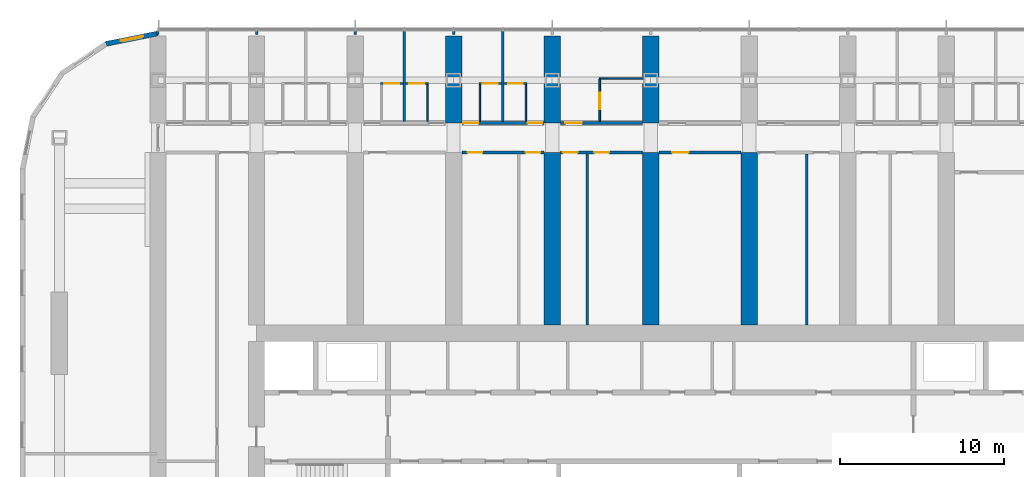
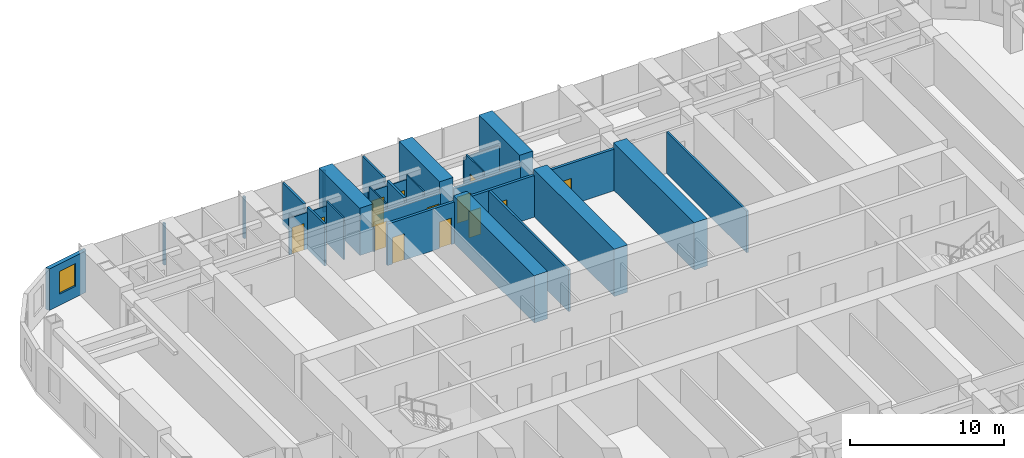
# One storey, part 16 of 24: 29 walls, 13 doors, 1 window, 14 openings.
"""IFC4 building model written with IfcOpenShell, lengths in metres."""

from ifc_helpers import new_model, si_unit, direction, frame, frame_2d, origin, place, context, subcontext, project, spatial, polyline, rectangle, outline, extrude, material, layer, layer_set, type_object, element, fill, save


model = new_model("IFC4")

# Units and contexts
model_context = context("Model", 3, precision=1e-05, world=origin(), true_north=direction((0.0, 1.0)))
body_context = subcontext(model_context, "Body", "Model", "MODEL_VIEW")
ifc_project = project(units=[si_unit("LENGTHUNIT", "METRE"), si_unit("AREAUNIT", "SQUARE_METRE"), si_unit("VOLUMEUNIT", "CUBIC_METRE"), si_unit("PLANEANGLEUNIT", "RADIAN"), si_unit("MASSUNIT", "GRAM", prefix="KILO")], contexts=[model_context])

# Site, building, storey
site_placement = place(None, origin())
site = spatial("IfcSite", under=ifc_project, at=site_placement, CompositionType="ELEMENT")
building_placement = place(site_placement, origin())
building = spatial("IfcBuilding", under=site, at=building_placement, Name="Orbita Commons", CompositionType="ELEMENT")
storey_placement = place(building_placement, frame((0.0, 0.0, 35.199951171875)))
storey = spatial("IfcBuildingStorey", under=building, at=storey_placement, Name="L08", CompositionType="ELEMENT", Elevation=35.199951171875)

# Wall, openings, doors
ifc_material_1 = material(Name="Concrete blockwork", Category="masonry")
ifc_layer_1 = layer(ifc_material_1, 0.199951171875)
ifc_layer_set_1 = layer_set([ifc_layer_1], Name="Concrete blockwork")
wall_type_1 = type_object("IfcWallType", Name="Corridor wall 200 blockwork", PredefinedType="SOLIDWALL", material=ifc_layer_set_1)
wall_1_placement = place(storey_placement, frame((30.5, 51.0, 0.0), z_axis=(0.0, 0.0, 1.0), x_axis=(1.0, 0.0, 0.0)))
wall_1 = element("IfcWall", 1, at=wall_1_placement, inside=storey, type_object=wall_type_1, Name="Corridor wall 200 blockwork L08", PredefinedType="SOLIDWALL", context=body_context, shape_type="SweptSolid", body=[
    extrude(outline(polyline([(0.0, 0.0), (5.0, 0.0), (5.0, 2.900146484375), (0.0, 2.900146484375), (0.0, 0.0)])), frame((0.0, 0.10009765625, 0.0), z_axis=(0.0, -1.0, 0.0), x_axis=(1.0, 0.0, 0.0)), (0.0, 0.0, 1.0), 0.199951171875),
])
opening_1_placement = place(wall_1_placement, frame((0.10009765625, 0.0, 0.0)))
opening_1 = element("IfcOpeningElement", 2, at=opening_1_placement, cuts=wall_1, Name="Opening D11", PredefinedType="OPENING", context=body_context, shape_type="SweptSolid", body=[
    extrude(rectangle(XDim=0.89990234375, YDim=2.10009765625, at=frame_2d((0.449951171875, 1.050048828125))), frame((0.0, 0.10986328125, 0.0), z_axis=(0.0, -1.0, 0.0), x_axis=(1.0, 0.0, 0.0)), (0.0, 0.0, 1.0), 0.219970703125),
])
opening_2_placement = place(wall_1_placement, frame((4.0, 0.0, 0.0)))
opening_2 = element("IfcOpeningElement", 3, at=opening_2_placement, cuts=wall_1, Name="Opening D11", PredefinedType="OPENING", context=body_context, shape_type="SweptSolid", body=[
    extrude(rectangle(XDim=0.89990234375, YDim=2.10009765625, at=frame_2d((0.449951171875, 1.050048828125))), frame((0.0, 0.10986328125, 0.0), z_axis=(0.0, -1.0, 0.0), x_axis=(1.0, 0.0, 0.0)), (0.0, 0.0, 1.0), 0.219970703125),
])
ifc_material_2 = material(Name="Steel-faced fire door leaf", Category="steel")
door_type_1 = type_object("IfcDoorType", Name="Corridor door 20 min 900x2100", OperationType="SINGLE_SWING_LEFT", PredefinedType="DOOR", material=ifc_material_2)
door_1_placement = place(opening_1_placement, origin())
door_1 = element("IfcDoor", 4, at=door_1_placement, inside=storey, type_object=door_type_1, Name="House bedroom L08-N06 door", OperationType="SINGLE_SWING_LEFT", OverallHeight=2.10009765625, OverallWidth=0.89990234375, PredefinedType="DOOR", context=body_context, shape_type="SweptSolid", body=[
    extrude(rectangle(XDim=0.89990234375, YDim=2.10009765625, at=frame_2d((0.449951171875, 1.050048828125))), frame((0.0, 0.02490234375, 0.0), z_axis=(0.0, -1.0, 0.0), x_axis=(1.0, 0.0, 0.0)), (0.0, 0.0, 1.0), 0.050048828125),
])
fill(opening_1, door_1)
door_2_placement = place(opening_2_placement, origin())
door_2 = element("IfcDoor", 5, at=door_2_placement, inside=storey, type_object=door_type_1, Name="House bedroom L08-N07 door", OperationType="SINGLE_SWING_LEFT", OverallHeight=2.10009765625, OverallWidth=0.89990234375, PredefinedType="DOOR", context=body_context, shape_type="SweptSolid", body=[
    extrude(rectangle(XDim=0.89990234375, YDim=2.10009765625, at=frame_2d((0.449951171875, 1.050048828125))), frame((0.0, 0.02490234375, 0.0), z_axis=(0.0, -1.0, 0.0), x_axis=(1.0, 0.0, 0.0)), (0.0, 0.0, 1.0), 0.050048828125),
])
fill(opening_2, door_2)

# Wall, opening, door
wall_2_placement = place(storey_placement, frame((36.5, 51.0, 0.0), z_axis=(0.0, 0.0, 1.0), x_axis=(1.0, 0.0, 0.0)))
wall_2 = element("IfcWall", 6, at=wall_2_placement, inside=storey, type_object=wall_type_1, Name="Corridor wall 200 blockwork L08", PredefinedType="SOLIDWALL", context=body_context, shape_type="SweptSolid", body=[
    extrude(outline(polyline([(0.0, 0.0), (5.0, 0.0), (5.0, 2.900146484375), (0.0, 2.900146484375), (0.0, 0.0)])), frame((0.0, 0.10009765625, 0.0), z_axis=(0.0, -1.0, 0.0), x_axis=(1.0, 0.0, 0.0)), (0.0, 0.0, 1.0), 0.199951171875),
])
opening_3_placement = place(wall_2_placement, frame((0.300048828125, 0.0, 0.0)))
opening_3 = element("IfcOpeningElement", 7, at=opening_3_placement, cuts=wall_2, Name="Opening D06", PredefinedType="OPENING", context=body_context, shape_type="SweptSolid", body=[
    extrude(rectangle(XDim=1.0, YDim=2.10009765625, at=frame_2d((0.5, 1.050048828125))), frame((0.0, 0.10986328125, 0.0), z_axis=(0.0, -1.0, 0.0), x_axis=(1.0, 0.0, 0.0)), (0.0, 0.0, 1.0), 0.219970703125),
])
ifc_material_3 = material(Name="Steel-faced fire door leaf", Category="steel")
door_type_2 = type_object("IfcDoorType", Name="Corridor door 20 min 1000x2100", OperationType="SINGLE_SWING_LEFT", PredefinedType="DOOR", material=ifc_material_3)
door_3_placement = place(opening_3_placement, origin())
door_3 = element("IfcDoor", 8, at=door_3_placement, inside=storey, type_object=door_type_2, Name="Accessible bedroom L08-N08 door", OperationType="SINGLE_SWING_LEFT", OverallHeight=2.10009765625, OverallWidth=1.0, PredefinedType="DOOR", context=body_context, shape_type="SweptSolid", body=[
    extrude(rectangle(XDim=1.0, YDim=2.10009765625, at=frame_2d((0.5, 1.050048828125))), frame((0.0, 0.02490234375, 0.0), z_axis=(0.0, -1.0, 0.0), x_axis=(1.0, 0.0, 0.0)), (0.0, 0.0, 1.0), 0.050048828125),
])
fill(opening_3, door_3)

# Wall, openings, doors
ifc_material_4 = material(Name="Hollow concrete block 200", Category="concrete")
ifc_layer_2 = layer(ifc_material_4, 0.199951171875)
ifc_layer_set_2 = layer_set([ifc_layer_2], Name="Hollow concrete block 200")
wall_type_2 = type_object("IfcWallType", Name="Corridor wall 200 hollow concrete block", PredefinedType="SOLIDWALL", material=ifc_layer_set_2)
wall_3_placement = place(storey_placement, frame((30.5, 49.199951171875, 0.0), z_axis=(0.0, 0.0, 1.0), x_axis=(1.0, 0.0, 0.0)))
wall_3 = element("IfcWall", 9, at=wall_3_placement, inside=storey, type_object=wall_type_2, Name="Corridor wall 200 hollow concrete block L08", PredefinedType="SOLIDWALL", context=body_context, shape_type="SweptSolid", body=[
    extrude(rectangle(XDim=5.0, YDim=0.199951171875, at=frame_2d((2.5, 0.0))), origin(), (0.0, 0.0, 1.0), 3.300048828125),
])
opening_4_placement = place(wall_3_placement, frame((0.35009765625, 0.0, 0.0)))
opening_4 = element("IfcOpeningElement", 10, at=opening_4_placement, cuts=wall_3, Name="Opening D11", PredefinedType="OPENING", context=body_context, shape_type="SweptSolid", body=[
    extrude(rectangle(XDim=0.89990234375, YDim=2.10009765625, at=frame_2d((0.449951171875, 1.050048828125))), frame((0.0, 0.10986328125, 0.0), z_axis=(0.0, -1.0, 0.0), x_axis=(1.0, 0.0, 0.0)), (0.0, 0.0, 1.0), 0.219970703125),
])
opening_5_placement = place(wall_3_placement, frame((3.8798828125, 0.0, 0.0)))
opening_5 = element("IfcOpeningElement", 11, at=opening_5_placement, cuts=wall_3, Name="Opening D11", PredefinedType="OPENING", context=body_context, shape_type="SweptSolid", body=[
    extrude(rectangle(XDim=0.89990234375, YDim=2.10009765625, at=frame_2d((0.449951171875, 1.050048828125))), frame((0.0, 0.10986328125, 0.0), z_axis=(0.0, -1.0, 0.0), x_axis=(1.0, 0.0, 0.0)), (0.0, 0.0, 1.0), 0.219970703125),
])
door_4_placement = place(opening_4_placement, origin())
door_4 = element("IfcDoor", 12, at=door_4_placement, inside=storey, type_object=door_type_1, Name="Bulk and luggage store L08-BDN30 door", OperationType="SINGLE_SWING_LEFT", OverallHeight=2.10009765625, OverallWidth=0.89990234375, PredefinedType="DOOR", context=body_context, shape_type="SweptSolid", body=[
    extrude(rectangle(XDim=0.89990234375, YDim=2.10009765625, at=frame_2d((0.449951171875, 1.050048828125))), frame((0.0, 0.02490234375, 0.0), z_axis=(0.0, -1.0, 0.0), x_axis=(1.0, 0.0, 0.0)), (0.0, 0.0, 1.0), 0.050048828125),
])
fill(opening_4, door_4)
door_5_placement = place(opening_5_placement, origin())
door_5 = element("IfcDoor", 13, at=door_5_placement, inside=storey, type_object=door_type_1, Name="Battery and UPS room L08-BDN30n door", OperationType="SINGLE_SWING_LEFT", OverallHeight=2.10009765625, OverallWidth=0.89990234375, PredefinedType="DOOR", context=body_context, shape_type="SweptSolid", body=[
    extrude(rectangle(XDim=0.89990234375, YDim=2.10009765625, at=frame_2d((0.449951171875, 1.050048828125))), frame((0.0, 0.02490234375, 0.0), z_axis=(0.0, -1.0, 0.0), x_axis=(1.0, 0.0, 0.0)), (0.0, 0.0, 1.0), 0.050048828125),
])
fill(opening_5, door_5)

wall_4_placement = place(storey_placement, frame((36.5, 49.199951171875, 0.0), z_axis=(0.0, 0.0, 1.0), x_axis=(1.0, 0.0, 0.0)))
wall_4 = element("IfcWall", 14, at=wall_4_placement, inside=storey, type_object=wall_type_2, Name="Corridor wall 200 hollow concrete block L08", PredefinedType="SOLIDWALL", context=body_context, shape_type="SweptSolid", body=[
    extrude(rectangle(XDim=5.0, YDim=0.199951171875, at=frame_2d((2.5, 0.0))), origin(), (0.0, 0.0, 1.0), 3.300048828125),
])
opening_6_placement = place(wall_4_placement, frame((0.14990234375, 0.0, 0.0)))
opening_6 = element("IfcOpeningElement", 15, at=opening_6_placement, cuts=wall_4, Name="Opening D11", PredefinedType="OPENING", context=body_context, shape_type="SweptSolid", body=[
    extrude(rectangle(XDim=0.89990234375, YDim=2.10009765625, at=frame_2d((0.449951171875, 1.050048828125))), frame((0.0, 0.10986328125, 0.0), z_axis=(0.0, -1.0, 0.0), x_axis=(1.0, 0.0, 0.0)), (0.0, 0.0, 1.0), 0.219970703125),
])
opening_7_placement = place(wall_4_placement, frame((2.070068359375, 0.0, 0.0)))
opening_7 = element("IfcOpeningElement", 16, at=opening_7_placement, cuts=wall_4, Name="Opening D11", PredefinedType="OPENING", context=body_context, shape_type="SweptSolid", body=[
    extrude(rectangle(XDim=0.89990234375, YDim=2.10009765625, at=frame_2d((0.449951171875, 1.050048828125))), frame((0.0, 0.10986328125, 0.0), z_axis=(0.0, -1.0, 0.0), x_axis=(1.0, 0.0, 0.0)), (0.0, 0.0, 1.0), 0.219970703125),
])
door_6_placement = place(opening_6_placement, origin())
door_6 = element("IfcDoor", 17, at=door_6_placement, inside=storey, type_object=door_type_1, Name="Sprinkler valve room L08-BDN36n door", OperationType="SINGLE_SWING_LEFT", OverallHeight=2.10009765625, OverallWidth=0.89990234375, PredefinedType="DOOR", context=body_context, shape_type="SweptSolid", body=[
    extrude(rectangle(XDim=0.89990234375, YDim=2.10009765625, at=frame_2d((0.449951171875, 1.050048828125))), frame((0.0, 0.02490234375, 0.0), z_axis=(0.0, -1.0, 0.0), x_axis=(1.0, 0.0, 0.0)), (0.0, 0.0, 1.0), 0.050048828125),
])
fill(opening_6, door_6)
door_7_placement = place(opening_7_placement, origin())
door_7 = element("IfcDoor", 18, at=door_7_placement, inside=storey, type_object=door_type_1, Name="Linen store L08-BDN36 door", OperationType="SINGLE_SWING_LEFT", OverallHeight=2.10009765625, OverallWidth=0.89990234375, PredefinedType="DOOR", context=body_context, shape_type="SweptSolid", body=[
    extrude(rectangle(XDim=0.89990234375, YDim=2.10009765625, at=frame_2d((0.449951171875, 1.050048828125))), frame((0.0, 0.02490234375, 0.0), z_axis=(0.0, -1.0, 0.0), x_axis=(1.0, 0.0, 0.0)), (0.0, 0.0, 1.0), 0.050048828125),
])
fill(opening_7, door_7)

# Wall, opening, door
wall_5_placement = place(storey_placement, frame((42.5, 49.199951171875, 0.0), z_axis=(0.0, 0.0, 1.0), x_axis=(1.0, 0.0, 0.0)))
wall_5 = element("IfcWall", 19, at=wall_5_placement, inside=storey, type_object=wall_type_2, Name="Corridor wall 200 hollow concrete block L08", PredefinedType="SOLIDWALL", context=body_context, shape_type="SweptSolid", body=[
    extrude(rectangle(XDim=5.0, YDim=0.199951171875, at=frame_2d((2.5, 0.0))), origin(), (0.0, 0.0, 1.0), 3.300048828125),
])
opening_8_placement = place(wall_5_placement, frame((0.800048828125, 0.0, 0.0)))
opening_8 = element("IfcOpeningElement", 20, at=opening_8_placement, cuts=wall_5, Name="Opening D06", PredefinedType="OPENING", context=body_context, shape_type="SweptSolid", body=[
    extrude(rectangle(XDim=1.0, YDim=2.10009765625, at=frame_2d((0.5, 1.050048828125))), frame((0.0, 0.10986328125, 0.0), z_axis=(0.0, -1.0, 0.0), x_axis=(1.0, 0.0, 0.0)), (0.0, 0.0, 1.0), 0.219970703125),
])
door_8_placement = place(opening_8_placement, origin())
door_8 = element("IfcDoor", 21, at=door_8_placement, inside=storey, type_object=door_type_2, Name="Store L08-BDN42 door", OperationType="SINGLE_SWING_LEFT", OverallHeight=2.10009765625, OverallWidth=1.0, PredefinedType="DOOR", context=body_context, shape_type="SweptSolid", body=[
    extrude(rectangle(XDim=1.0, YDim=2.10009765625, at=frame_2d((0.5, 1.050048828125))), frame((0.0, 0.02490234375, 0.0), z_axis=(0.0, -1.0, 0.0), x_axis=(1.0, 0.0, 0.0)), (0.0, 0.0, 1.0), 0.050048828125),
])
fill(opening_8, door_8)

# Walls
ifc_material_5 = material(Name="Concrete C50/60", Category="concrete")
ifc_layer_3 = layer(ifc_material_5, 1.0)
ifc_layer_set_3 = layer_set([ifc_layer_3], Name="Concrete C50/60")
wall_type_3 = type_object("IfcWallType", Name="Cross wall 1000 C50/60", PredefinedType="SHEAR", material=ifc_layer_set_3)
for number, where, z_axis, x_axis, name in (
    (22, (30.0, 51.0, 0.0), (0.0, 0.0, 1.0), (0.0, 1.0, 0.0), "Cross wall 6 north outer L08"),
    (23, (36.0, 51.0, 0.0), (0.0, 0.0, 1.0), (0.0, 1.0, 0.0), "Cross wall 7 north outer L08"),
):
    element("IfcWall", number, at=place(storey_placement, frame(where, z_axis=z_axis, x_axis=x_axis)), inside=storey, type_object=wall_type_3, Name=name, PredefinedType="SHEAR", context=body_context, shape_type="SweptSolid", body=[
        extrude(rectangle(XDim=5.300048828125, YDim=1.0, at=frame_2d((2.64990234375, 0.0))), origin(), (0.0, 0.0, 1.0), 3.75),
    ])
wall_6_placement = place(storey_placement, frame((36.0, 38.699951171875, 0.0), z_axis=(0.0, 0.0, 1.0), x_axis=(0.0, 1.0, 0.0)))
element("IfcWall", 24, at=wall_6_placement, inside=storey, type_object=wall_type_3, Name="Cross wall 7 north inner L08", PredefinedType="SHEAR", context=body_context, shape_type="SweptSolid", body=[
    extrude(rectangle(XDim=10.5, YDim=1.0, at=frame_2d((5.25, 0.0))), origin(), (0.0, 0.0, 1.0), 3.75),
])
wall_7_placement = place(storey_placement, frame((42.0, 51.0, 0.0), z_axis=(0.0, 0.0, 1.0), x_axis=(0.0, 1.0, 0.0)))
element("IfcWall", 25, at=wall_7_placement, inside=storey, type_object=wall_type_3, Name="Cross wall 8 north outer L08", PredefinedType="SHEAR", context=body_context, shape_type="SweptSolid", body=[
    extrude(rectangle(XDim=5.300048828125, YDim=1.0, at=frame_2d((2.64990234375, 0.0))), origin(), (0.0, 0.0, 1.0), 3.75),
])
for number, where, z_axis, x_axis, name in (
    (26, (42.0, 38.699951171875, 0.0), (0.0, 0.0, 1.0), (0.0, 1.0, 0.0), "Cross wall 8 north inner L08"),
    (27, (48.0, 38.699951171875, 0.0), (0.0, 0.0, 1.0), (0.0, 1.0, 0.0), "Cross wall 9 north inner L08"),
):
    element("IfcWall", number, at=place(storey_placement, frame(where, z_axis=z_axis, x_axis=x_axis)), inside=storey, type_object=wall_type_3, Name=name, PredefinedType="SHEAR", context=body_context, shape_type="SweptSolid", body=[
        extrude(rectangle(XDim=10.5, YDim=1.0, at=frame_2d((5.25, 0.0))), origin(), (0.0, 0.0, 1.0), 3.75),
    ])

# Wall, opening, door
ifc_material_6 = material(Name="Moisture-resistant plasterboard on steel studs", Category="steel")
ifc_layer_4 = layer(ifc_material_6, 0.10009765625)
ifc_layer_set_4 = layer_set([ifc_layer_4], Name="Moisture-resistant plasterboard on steel studs")
wall_type_4 = type_object("IfcWallType", Name="En-suite partition 100", PredefinedType="PARTITIONING", material=ifc_layer_set_4)
wall_8_placement = place(storey_placement, frame((25.550048828125, 53.40185546875, 0.0), z_axis=(0.0, 0.0, 1.0), x_axis=(1.0, 0.0, 0.0)))
wall_8 = element("IfcWall", 28, at=wall_8_placement, inside=storey, type_object=wall_type_4, Name="En-suite partition 100 L08", PredefinedType="PARTITIONING", context=body_context, shape_type="SweptSolid", body=[
    extrude(outline(polyline([(0.0, 0.0), (1.375, 0.0), (1.375, 2.900146484375), (0.0, 2.900146484375), (0.0, 0.0)])), frame((0.0, 0.050048828125, 0.0), z_axis=(0.0, -1.0, 0.0), x_axis=(1.0, 0.0, 0.0)), (0.0, 0.0, 1.0), 0.10009765625),
])
opening_9_placement = place(wall_8_placement, frame((0.237548828125, 0.0, 0.0)))
opening_9 = element("IfcOpeningElement", 29, at=opening_9_placement, cuts=wall_8, Name="Opening D09", PredefinedType="OPENING", context=body_context, shape_type="SweptSolid", body=[
    extrude(rectangle(XDim=0.89990234375, YDim=2.10009765625, at=frame_2d((0.449951171875, 1.050048828125))), frame((0.0, 0.06005859375, 0.0), z_axis=(0.0, -1.0, 0.0), x_axis=(1.0, 0.0, 0.0)), (0.0, 0.0, 1.0), 0.1201171875),
])
ifc_material_7 = material(Name="Laminated timber door leaf", Category="wood")
door_type_3 = type_object("IfcDoorType", Name="En-suite door 900x2100", OperationType="SINGLE_SWING_RIGHT", PredefinedType="DOOR", material=ifc_material_7)
door_9_placement = place(opening_9_placement, origin())
door_9 = element("IfcDoor", 30, at=door_9_placement, inside=storey, type_object=door_type_3, Name="En-suite L08-N04 door", OperationType="SINGLE_SWING_RIGHT", OverallHeight=2.10009765625, OverallWidth=0.89990234375, PredefinedType="DOOR", context=body_context, shape_type="SweptSolid", body=[
    extrude(rectangle(XDim=0.89990234375, YDim=2.10009765625, at=frame_2d((0.449951171875, 1.050048828125))), frame((0.0, 0.02490234375, 0.0), z_axis=(0.0, -1.0, 0.0), x_axis=(1.0, 0.0, 0.0)), (0.0, 0.0, 1.0), 0.050048828125),
])
fill(opening_9, door_9)

wall_9_placement = place(storey_placement, frame((27.074951171875, 53.40185546875, 0.0), z_axis=(0.0, 0.0, 1.0), x_axis=(1.0, 0.0, 0.0)))
wall_9 = element("IfcWall", 31, at=wall_9_placement, inside=storey, type_object=wall_type_4, Name="En-suite partition 100 L08", PredefinedType="PARTITIONING", context=body_context, shape_type="SweptSolid", body=[
    extrude(outline(polyline([(0.0, 0.0), (1.375, 0.0), (1.375, 2.900146484375), (0.0, 2.900146484375), (0.0, 0.0)])), frame((0.0, 0.050048828125, 0.0), z_axis=(0.0, -1.0, 0.0), x_axis=(1.0, 0.0, 0.0)), (0.0, 0.0, 1.0), 0.10009765625),
])
opening_10_placement = place(wall_9_placement, frame((0.237548828125, 0.0, 0.0)))
opening_10 = element("IfcOpeningElement", 32, at=opening_10_placement, cuts=wall_9, Name="Opening D09", PredefinedType="OPENING", context=body_context, shape_type="SweptSolid", body=[
    extrude(rectangle(XDim=0.89990234375, YDim=2.10009765625, at=frame_2d((0.449951171875, 1.050048828125))), frame((0.0, 0.06005859375, 0.0), z_axis=(0.0, -1.0, 0.0), x_axis=(1.0, 0.0, 0.0)), (0.0, 0.0, 1.0), 0.1201171875),
])
door_10_placement = place(opening_10_placement, origin())
door_10 = element("IfcDoor", 33, at=door_10_placement, inside=storey, type_object=door_type_3, Name="En-suite L08-N05 door", OperationType="SINGLE_SWING_RIGHT", OverallHeight=2.10009765625, OverallWidth=0.89990234375, PredefinedType="DOOR", context=body_context, shape_type="SweptSolid", body=[
    extrude(rectangle(XDim=0.89990234375, YDim=2.10009765625, at=frame_2d((0.449951171875, 1.050048828125))), frame((0.0, 0.02490234375, 0.0), z_axis=(0.0, -1.0, 0.0), x_axis=(1.0, 0.0, 0.0)), (0.0, 0.0, 1.0), 0.050048828125),
])
fill(opening_10, door_10)

# Wall
wall_10_placement = place(storey_placement, frame((28.39990234375, 53.351806640625, 0.0), z_axis=(0.0, 0.0, 1.0), x_axis=(0.0, -1.0, 0.0)))
element("IfcWall", 34, at=wall_10_placement, inside=storey, type_object=wall_type_4, Name="En-suite partition 100 L08", PredefinedType="PARTITIONING", context=body_context, shape_type="SweptSolid", body=[
    extrude(outline(polyline([(0.0, 0.0), (2.251708984375, 0.0), (2.251953125, 2.900146484375), (2.203857421875, 2.900146484375), (2.201904296875, 3.300048828125), (0.0, 3.300048828125), (0.0, 0.0)])), frame((0.0, 0.050048828125, 0.0), z_axis=(0.0, -1.0, 0.0), x_axis=(1.0, 0.0, 0.0)), (0.0, 0.0, 1.0), 0.10009765625),
])

# Wall, opening, door
wall_11_placement = place(storey_placement, frame((31.550048828125, 53.40185546875, 0.0), z_axis=(0.0, 0.0, 1.0), x_axis=(1.0, 0.0, 0.0)))
wall_11 = element("IfcWall", 35, at=wall_11_placement, inside=storey, type_object=wall_type_4, Name="En-suite partition 100 L08", PredefinedType="PARTITIONING", context=body_context, shape_type="SweptSolid", body=[
    extrude(outline(polyline([(0.0, 0.0), (1.375, 0.0), (1.375, 2.900146484375), (0.0, 2.900146484375), (0.0, 0.0)])), frame((0.0, 0.050048828125, 0.0), z_axis=(0.0, -1.0, 0.0), x_axis=(1.0, 0.0, 0.0)), (0.0, 0.0, 1.0), 0.10009765625),
])
opening_11_placement = place(wall_11_placement, frame((0.237548828125, 0.0, 0.0)))
opening_11 = element("IfcOpeningElement", 36, at=opening_11_placement, cuts=wall_11, Name="Opening D09", PredefinedType="OPENING", context=body_context, shape_type="SweptSolid", body=[
    extrude(rectangle(XDim=0.89990234375, YDim=2.10009765625, at=frame_2d((0.449951171875, 1.050048828125))), frame((0.0, 0.06005859375, 0.0), z_axis=(0.0, -1.0, 0.0), x_axis=(1.0, 0.0, 0.0)), (0.0, 0.0, 1.0), 0.1201171875),
])
door_11_placement = place(opening_11_placement, origin())
door_11 = element("IfcDoor", 37, at=door_11_placement, inside=storey, type_object=door_type_3, Name="En-suite L08-N06 door", OperationType="SINGLE_SWING_RIGHT", OverallHeight=2.10009765625, OverallWidth=0.89990234375, PredefinedType="DOOR", context=body_context, shape_type="SweptSolid", body=[
    extrude(rectangle(XDim=0.89990234375, YDim=2.10009765625, at=frame_2d((0.449951171875, 1.050048828125))), frame((0.0, 0.02490234375, 0.0), z_axis=(0.0, -1.0, 0.0), x_axis=(1.0, 0.0, 0.0)), (0.0, 0.0, 1.0), 0.050048828125),
])
fill(opening_11, door_11)

# Wall
wall_12_placement = place(storey_placement, frame((31.60009765625, 53.351806640625, 0.0), z_axis=(0.0, 0.0, 1.0), x_axis=(0.0, -1.0, 0.0)))
element("IfcWall", 38, at=wall_12_placement, inside=storey, type_object=wall_type_4, Name="En-suite partition 100 L08", PredefinedType="PARTITIONING", context=body_context, shape_type="SweptSolid", body=[
    extrude(outline(polyline([(0.0, 0.0), (2.251708984375, 0.0), (2.251953125, 2.900146484375), (2.203857421875, 2.900146484375), (2.201904296875, 3.300048828125), (0.0, 3.300048828125), (0.0, 0.0)])), frame((0.0, 0.050048828125, 0.0), z_axis=(0.0, -1.0, 0.0), x_axis=(1.0, 0.0, 0.0)), (0.0, 0.0, 1.0), 0.10009765625),
])

# Wall, opening, door
wall_13_placement = place(storey_placement, frame((33.074951171875, 53.40185546875, 0.0), z_axis=(0.0, 0.0, 1.0), x_axis=(1.0, 0.0, 0.0)))
wall_13 = element("IfcWall", 39, at=wall_13_placement, inside=storey, type_object=wall_type_4, Name="En-suite partition 100 L08", PredefinedType="PARTITIONING", context=body_context, shape_type="SweptSolid", body=[
    extrude(outline(polyline([(0.0, 0.0), (1.375, 0.0), (1.375, 2.900146484375), (0.0, 2.900146484375), (0.0, 0.0)])), frame((0.0, 0.050048828125, 0.0), z_axis=(0.0, -1.0, 0.0), x_axis=(1.0, 0.0, 0.0)), (0.0, 0.0, 1.0), 0.10009765625),
])
opening_12_placement = place(wall_13_placement, frame((0.237548828125, 0.0, 0.0)))
opening_12 = element("IfcOpeningElement", 40, at=opening_12_placement, cuts=wall_13, Name="Opening D09", PredefinedType="OPENING", context=body_context, shape_type="SweptSolid", body=[
    extrude(rectangle(XDim=0.89990234375, YDim=2.10009765625, at=frame_2d((0.449951171875, 1.050048828125))), frame((0.0, 0.06005859375, 0.0), z_axis=(0.0, -1.0, 0.0), x_axis=(1.0, 0.0, 0.0)), (0.0, 0.0, 1.0), 0.1201171875),
])
door_12_placement = place(opening_12_placement, origin())
door_12 = element("IfcDoor", 41, at=door_12_placement, inside=storey, type_object=door_type_3, Name="En-suite L08-N07 door", OperationType="SINGLE_SWING_RIGHT", OverallHeight=2.10009765625, OverallWidth=0.89990234375, PredefinedType="DOOR", context=body_context, shape_type="SweptSolid", body=[
    extrude(rectangle(XDim=0.89990234375, YDim=2.10009765625, at=frame_2d((0.449951171875, 1.050048828125))), frame((0.0, 0.02490234375, 0.0), z_axis=(0.0, -1.0, 0.0), x_axis=(1.0, 0.0, 0.0)), (0.0, 0.0, 1.0), 0.050048828125),
])
fill(opening_12, door_12)

# Walls
wall_14_placement = place(storey_placement, frame((34.39990234375, 53.351806640625, 0.0), z_axis=(0.0, 0.0, 1.0), x_axis=(0.0, -1.0, 0.0)))
element("IfcWall", 42, at=wall_14_placement, inside=storey, type_object=wall_type_4, Name="En-suite partition 100 L08", PredefinedType="PARTITIONING", context=body_context, shape_type="SweptSolid", body=[
    extrude(outline(polyline([(0.0, 0.0), (2.251708984375, 0.0), (2.251953125, 2.900146484375), (2.203857421875, 2.900146484375), (2.201904296875, 3.300048828125), (0.0, 3.300048828125), (0.0, 0.0)])), frame((0.0, 0.050048828125, 0.0), z_axis=(0.0, -1.0, 0.0), x_axis=(1.0, 0.0, 0.0)), (0.0, 0.0, 1.0), 0.10009765625),
])
wall_15_placement = place(storey_placement, frame((38.85009765625, 53.699951171875, 0.0), z_axis=(0.0, 0.0, 1.0), x_axis=(1.0, 0.0, 0.0)))
element("IfcWall", 43, at=wall_15_placement, inside=storey, type_object=wall_type_4, Name="En-suite partition 100 L08", PredefinedType="PARTITIONING", context=body_context, shape_type="SweptSolid", body=[
    extrude(outline(polyline([(0.0, 0.0), (2.699951171875, 0.0), (2.699951171875, 2.900146484375), (0.0, 2.900146484375), (0.0, 0.0)])), frame((0.0, 0.050048828125, 0.0), z_axis=(0.0, -1.0, 0.0), x_axis=(1.0, 0.0, 0.0)), (0.0, 0.0, 1.0), 0.10009765625),
])

# Wall, opening, door
wall_16_placement = place(storey_placement, frame((38.89990234375, 53.64990234375, 0.0), z_axis=(0.0, 0.0, 1.0), x_axis=(0.0, -1.0, 0.0)))
wall_16 = element("IfcWall", 44, at=wall_16_placement, inside=storey, type_object=wall_type_4, Name="En-suite partition 100 L08", PredefinedType="PARTITIONING", context=body_context, shape_type="SweptSolid", body=[
    extrude(outline(polyline([(0.0, 0.0), (2.5498046875, 0.0), (2.550048828125, 2.900146484375), (2.501953125, 2.900146484375), (2.5, 3.300048828125), (0.251953125, 3.300048828125), (0.25, 2.900146484375), (0.0, 2.900146484375), (0.0, 0.0)])), frame((0.0, 0.050048828125, 0.0), z_axis=(0.0, -1.0, 0.0), x_axis=(1.0, 0.0, 0.0)), (0.0, 0.0, 1.0), 0.10009765625),
])
opening_13_placement = place(wall_16_placement, frame((0.800048828125, 0.0, 0.0)))
opening_13 = element("IfcOpeningElement", 45, at=opening_13_placement, cuts=wall_16, Name="Opening D13", PredefinedType="OPENING", context=body_context, shape_type="SweptSolid", body=[
    extrude(rectangle(XDim=1.0, YDim=2.10009765625, at=frame_2d((0.5, 1.050048828125))), frame((0.0, 0.06005859375, 0.0), z_axis=(0.0, -1.0, 0.0), x_axis=(1.0, 0.0, 0.0)), (0.0, 0.0, 1.0), 0.1201171875),
])
ifc_material_8 = material(Name="Laminated timber door leaf", Category="wood")
door_type_4 = type_object("IfcDoorType", Name="En-suite door 1000x2100", OperationType="SINGLE_SWING_RIGHT", PredefinedType="DOOR", material=ifc_material_8)
door_13_placement = place(opening_13_placement, origin())
door_13 = element("IfcDoor", 46, at=door_13_placement, inside=storey, type_object=door_type_4, Name="Accessible shower room L08-N08 door", OperationType="SINGLE_SWING_RIGHT", OverallHeight=2.10009765625, OverallWidth=1.0, PredefinedType="DOOR", context=body_context, shape_type="SweptSolid", body=[
    extrude(rectangle(XDim=1.0, YDim=2.10009765625, at=frame_2d((0.5, 1.050048828125))), frame((0.0, 0.02490234375, 0.0), z_axis=(0.0, -1.0, 0.0), x_axis=(1.0, 0.0, 0.0)), (0.0, 0.0, 1.0), 0.050048828125),
])
fill(opening_13, door_13)

# Walls
ifc_material_9 = material(Name="Gypsum plasterboard on steel studs", Category="steel")
ifc_layer_5 = layer(ifc_material_9, 0.14990234375)
ifc_layer_set_5 = layer_set([ifc_layer_5], Name="Gypsum plasterboard on steel studs")
wall_type_5 = type_object("IfcWallType", Name="Partition 150 plasterboard", PredefinedType="PARTITIONING", material=ifc_layer_set_5)
for number, where, z_axis, x_axis, name in (
    (47, (38.14501953125, 38.699951171875, 0.0), (0.0, 0.0, 1.0), (0.0, 1.0, 0.0), "Partition 150 plasterboard L08"),
    (48, (51.5, 38.699951171875, 0.0), (0.0, 0.0, 1.0), (0.0, 1.0, 0.0), "Partition 150 plasterboard L08"),
):
    element("IfcWall", number, at=place(storey_placement, frame(where, z_axis=z_axis, x_axis=x_axis)), inside=storey, type_object=wall_type_5, Name=name, PredefinedType="PARTITIONING", context=body_context, shape_type="SweptSolid", body=[
        extrude(rectangle(XDim=10.400146484375, YDim=0.14990234375, at=frame_2d((5.2001953125, 0.0))), origin(), (0.0, 0.0, 1.0), 3.300048828125),
    ])
wall_17_placement = place(storey_placement, frame((12.0, 56.39990234375, 0.0), z_axis=(0.0, 0.0, 1.0), x_axis=(0.0, 1.0, 0.0)))
element("IfcWall", 49, at=wall_17_placement, inside=storey, type_object=wall_type_5, Name="Partition 150 plasterboard L08", PredefinedType="PARTITIONING", context=body_context, shape_type="SweptSolid", body=[
    extrude(rectangle(XDim=0.22021484375, YDim=0.14990234375, at=frame_2d((0.110107421875, 0.0))), origin(), (0.0, 0.0, 1.0), 3.300048828125),
])
for number, where, z_axis, x_axis, name in (
    (50, (18.0, 56.39990234375, 0.0), (0.0, 0.0, 1.0), (0.0, 1.0, 0.0), "Partition 150 plasterboard L08"),
    (51, (24.0, 56.39990234375, 0.0), (0.0, 0.0, 1.0), (0.0, 1.0, 0.0), "Partition 150 plasterboard L08"),
    (52, (30.0, 56.39990234375, 0.0), (0.0, 0.0, 1.0), (0.0, 1.0, 0.0), "Partition 150 plasterboard L08"),
):
    element("IfcWall", number, at=place(storey_placement, frame(where, z_axis=z_axis, x_axis=x_axis)), inside=storey, type_object=wall_type_5, Name=name, PredefinedType="PARTITIONING", context=body_context, shape_type="SweptSolid", body=[
        extrude(rectangle(XDim=0.190185546875, YDim=0.14990234375, at=frame_2d((0.09521484375, 0.0))), origin(), (0.0, 0.0, 1.0), 3.300048828125),
    ])
ifc_material_10 = material(Name="Gypsum plasterboard on steel studs", Category="steel")
ifc_layer_6 = layer(ifc_material_10, 0.14990234375)
ifc_layer_set_6 = layer_set([ifc_layer_6], Name="Gypsum plasterboard on steel studs")
wall_type_6 = type_object("IfcWallType", Name="Party wall 150 plasterboard", PredefinedType="PARTITIONING", material=ifc_layer_set_6)
for number, where, z_axis, x_axis, name in (
    (53, (27.0, 56.590087890625, 0.0), (0.0, 0.0, 1.0), (0.0, -1.0, 0.0), "Party wall 150 plasterboard L08"),
    (54, (33.0, 56.590087890625, 0.0), (0.0, 0.0, 1.0), (0.0, -1.0, 0.0), "Party wall 150 plasterboard L08"),
):
    element("IfcWall", number, at=place(storey_placement, frame(where, z_axis=z_axis, x_axis=x_axis)), inside=storey, type_object=wall_type_6, Name=name, PredefinedType="PARTITIONING", context=body_context, shape_type="SweptSolid", body=[
        extrude(outline(polyline([(0.0, 0.0), (5.489990234375, 0.0), (5.489990234375, 2.900146484375), (5.44189453125, 2.900146484375), (5.43994140625, 3.300048828125), (3.19189453125, 3.300048828125), (3.18994140625, 2.900146484375), (2.7919921875, 2.900146484375), (2.7900390625, 3.300048828125), (0.0, 3.300048828125), (0.0, 0.0)])), frame((0.0, 0.074951171875, 0.0), z_axis=(0.0, -1.0, 0.0), x_axis=(1.0, 0.0, 0.0)), (0.0, 0.0, 1.0), 0.14990234375),
    ])

# Wall, opening, window
ifc_material_11 = material(Name="Precast concrete C40/50, white board-marked finish", Category="concrete")
ifc_layer_7 = layer(ifc_material_11, 0.300048828125)
ifc_layer_set_7 = layer_set([ifc_layer_7], Name="Precast concrete C40/50, white board-marked finish")
wall_type_7 = type_object("IfcWallType", Name="Precast concrete end shield 300", PredefinedType="SOLIDWALL", material=ifc_layer_set_7)
wall_18_placement = place(storey_placement, frame((12.0, 56.449951171875, 0.0), z_axis=(0.0, 0.0, 1.0), x_axis=(-0.980787251524, -0.195080412259, 0.0)))
wall_18 = element("IfcWall", 55, at=wall_18_placement, inside=storey, type_object=wall_type_7, Name="End shield NW chord 1 L08", PredefinedType="SOLIDWALL", context=body_context, shape_type="SweptSolid", body=[
    extrude(outline(polyline([(-0.02978515625, -0.14990234375), (3.24853515625, -0.14990234375), (3.18896484375, 0.14990234375), (0.02978515625, 0.14990234375), (-0.02978515625, -0.14990234375)])), origin(), (0.0, 0.0, 1.0), 3.300048828125),
])
opening_14_placement = place(wall_18_placement, frame((0.909423828125, 0.0, 0.89990234375)))
opening_14 = element("IfcOpeningElement", 56, at=opening_14_placement, cuts=wall_18, Name="Opening W02", PredefinedType="OPENING", context=body_context, shape_type="SweptSolid", body=[
    extrude(rectangle(XDim=1.39990234375, YDim=1.800048828125, at=frame_2d((0.699951171875, 0.89990234375))), frame((0.0, 0.159912109375, 0.0), z_axis=(0.0, -1.0, 0.0), x_axis=(1.0, 0.0, 0.0)), (0.0, 0.0, 1.0), 0.320068359375),
])
ifc_material_12 = material(Name="Aluminium frame, clear double glazing", Category="aluminium")
window_type = type_object("IfcWindowType", Name="Deep-set window 1400x1800", PartitioningType="SINGLE_PANEL", PredefinedType="WINDOW", material=ifc_material_12)
window_placement = place(opening_14_placement, origin())
window = element("IfcWindow", 57, at=window_placement, inside=storey, type_object=window_type, Name="Window L08-NW0", OverallHeight=1.800048828125, OverallWidth=1.39990234375, PartitioningType="SINGLE_PANEL", PredefinedType="WINDOW", context=body_context, shape_type="SweptSolid", body=[
    extrude(rectangle(XDim=1.39990234375, YDim=1.800048828125, at=frame_2d((0.699951171875, 0.89990234375))), frame((0.0, 0.030029296875, 0.0), z_axis=(0.0, -1.0, 0.0), x_axis=(1.0, 0.0, 0.0)), (0.0, 0.0, 1.0), 0.06005859375),
])
fill(opening_14, window)

save(model, "model.ifc")
